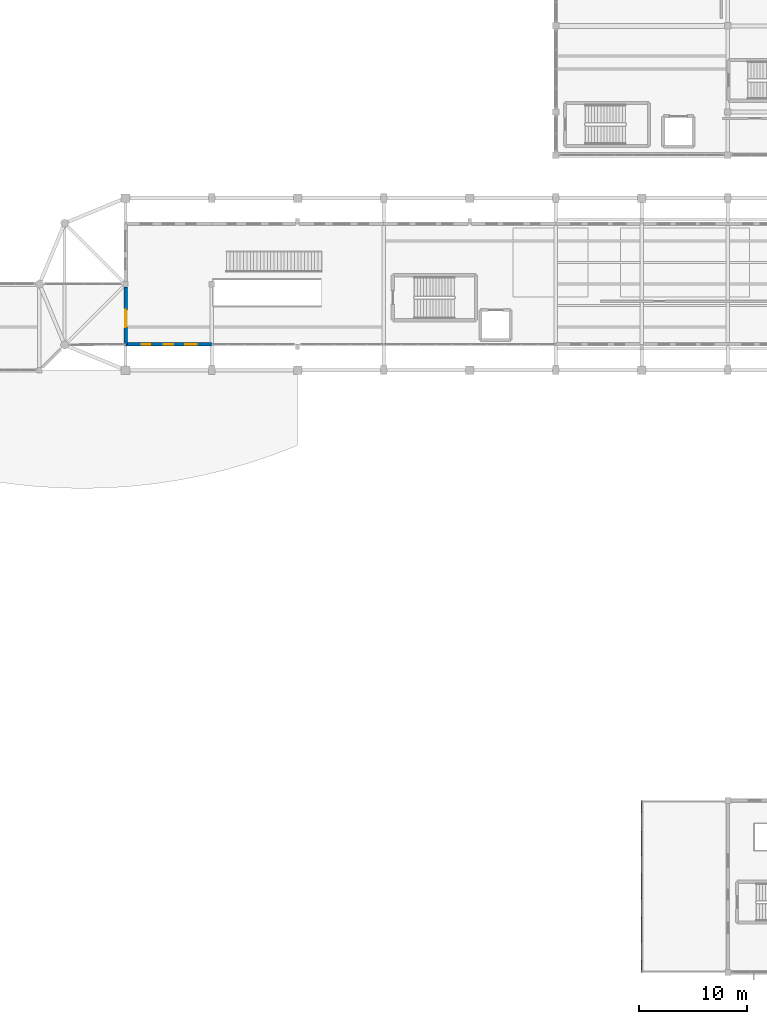
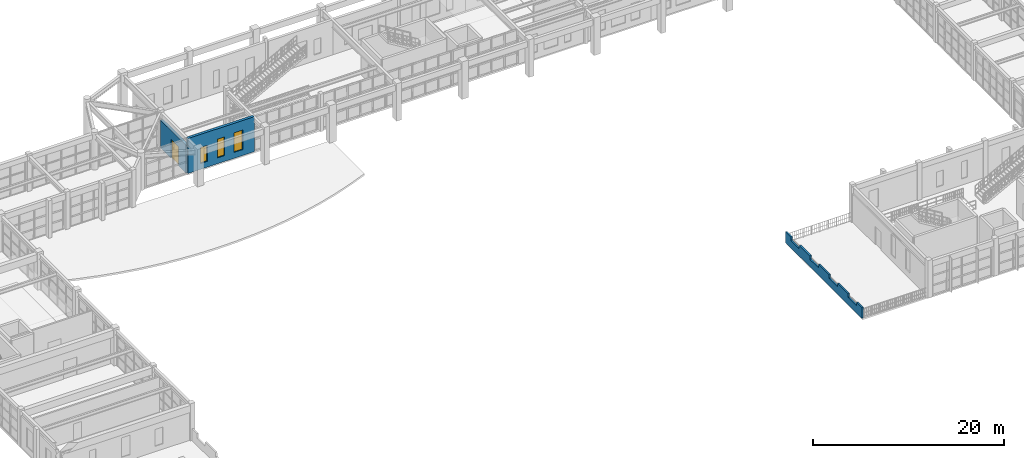
# One storey, part 39 of 59: 3 walls, 3 windows, 1 door, 4 openings.
"""IFC4 building model written with IfcOpenShell, lengths in metres."""

from ifc_helpers import new_model, si_unit, direction, frame, frame_2d, origin, place, context, subcontext, project, spatial, polyline, rectangle, outline, extrude, material, layer, layer_set, type_object, element, fill, save


model = new_model("IFC4")

# Units and contexts
model_context = context("Model", 3, precision=1e-05, world=origin(), true_north=direction((0.0, 1.0)))
body_context = subcontext(model_context, "Body", "Model", "MODEL_VIEW")
ifc_project = project(units=[si_unit("LENGTHUNIT", "METRE"), si_unit("AREAUNIT", "SQUARE_METRE"), si_unit("VOLUMEUNIT", "CUBIC_METRE"), si_unit("PLANEANGLEUNIT", "RADIAN"), si_unit("MASSUNIT", "GRAM", prefix="KILO")], contexts=[model_context])

# Site, building, storey
site_placement = place(None, origin())
site = spatial("IfcSite", under=ifc_project, at=site_placement, CompositionType="ELEMENT")
building_placement = place(site_placement, origin())
building = spatial("IfcBuilding", under=site, at=building_placement, Name="Serraluz Foothill Cableway Terminal", CompositionType="ELEMENT")
storey_placement = place(building_placement, frame((0.0, 0.0, 4.800048828125)))
storey = spatial("IfcBuildingStorey", under=building, at=storey_placement, Name="L01", CompositionType="ELEMENT", Elevation=4.800048828125)

# Wall, openings, windows
ifc_material_1 = material(Name="Dark clinker clay masonry brick (f'm 14 MPa)", Category="masonry")
ifc_layer_1 = layer(ifc_material_1, 0.320068359375, Name="Dark clinker clay masonry brick (f'm 14 MPa)", Category="masonry")
ifc_layer_set_1 = layer_set([ifc_layer_1], Name="Dark clinker clay masonry brick (f'm 14 MPa)")
wall_type_1 = type_object("IfcWallType", Name="TYP-WL-EXT-320", PredefinedType="STANDARD", material=ifc_layer_set_1)
wall_1_placement = place(storey_placement, frame((48.0, 58.39990234375, 0.0), z_axis=(0.0, 0.0, 1.0), x_axis=(-1.0, 0.0, 0.0)))
wall_1 = element("IfcWall", 1, at=wall_1_placement, inside=storey, type_object=wall_type_1, Name="Exterior Masonry Wall EW-V1S-L01-40", PredefinedType="STANDARD", context=body_context, shape_type="SweptSolid", body=[
    extrude(rectangle(XDim=8.0, YDim=0.320068359375, at=frame_2d((4.0, 0.0))), origin(), (0.0, 0.0, 1.0), 4.474853515625),
])
opening_1_placement = place(wall_1_placement, frame((1.39501953125, 0.0, 0.75)))
opening_1 = element("IfcOpeningElement", 2, at=opening_1_placement, cuts=wall_1, Name="Opening W-38", PredefinedType="OPENING", context=body_context, shape_type="SweptSolid", body=[
    extrude(rectangle(XDim=1.050048828125, YDim=2.5, at=frame_2d((0.52490234375, 1.25))), frame((0.0, 0.169921875, 0.0), z_axis=(0.0, -1.0, 0.0), x_axis=(1.0, 0.0, 0.0)), (0.0, 0.0, 1.0), 0.340087890625),
])
opening_2_placement = place(wall_1_placement, frame((3.574951171875, 0.0, 0.75)))
opening_2 = element("IfcOpeningElement", 3, at=opening_2_placement, cuts=wall_1, Name="Opening W-02", PredefinedType="OPENING", context=body_context, shape_type="SweptSolid", body=[
    extrude(rectangle(XDim=0.85009765625, YDim=2.39990234375, at=frame_2d((0.425048828125, 1.199951171875))), frame((0.0, 0.169921875, 0.0), z_axis=(0.0, -1.0, 0.0), x_axis=(1.0, 0.0, 0.0)), (0.0, 0.0, 1.0), 0.340087890625),
])
opening_3_placement = place(wall_1_placement, frame((5.679931640625, 0.0, 0.75)))
opening_3 = element("IfcOpeningElement", 4, at=opening_3_placement, cuts=wall_1, Name="Opening W-36", PredefinedType="OPENING", context=body_context, shape_type="SweptSolid", body=[
    extrude(rectangle(XDim=0.800048828125, YDim=2.050048828125, at=frame_2d((0.39990234375, 1.02490234375))), frame((0.0, 0.169921875, 0.0), z_axis=(0.0, -1.0, 0.0), x_axis=(1.0, 0.0, 0.0)), (0.0, 0.0, 1.0), 0.340087890625),
])
ifc_material_2 = material(Name="Laminated low-E safety glass", Category="glass")
window_type_1 = type_object("IfcWindowType", Name="TYP-WN-080X205", PartitioningType="SINGLE_PANEL", PredefinedType="WINDOW", material=ifc_material_2)
window_1_placement = place(opening_3_placement, origin())
window_1 = element("IfcWindow", 5, at=window_1_placement, inside=storey, type_object=window_type_1, Name="Exterior Window EW-V1S-L01-40-WN3", OverallHeight=2.050048828125, OverallWidth=0.800048828125, PartitioningType="SINGLE_PANEL", PredefinedType="WINDOW", context=body_context, shape_type="SweptSolid", body=[
    extrude(rectangle(XDim=0.800048828125, YDim=2.050048828125, at=frame_2d((0.39990234375, 1.02490234375))), frame((0.0, 0.030029296875, 0.0), z_axis=(0.0, -1.0, 0.0), x_axis=(1.0, 0.0, 0.0)), (0.0, 0.0, 1.0), 0.06005859375),
])
fill(opening_3, window_1)
window_type_2 = type_object("IfcWindowType", Name="TYP-WN-085X240", PartitioningType="SINGLE_PANEL", PredefinedType="WINDOW", material=ifc_material_2)
window_2_placement = place(opening_2_placement, origin())
window_2 = element("IfcWindow", 6, at=window_2_placement, inside=storey, type_object=window_type_2, Name="Exterior Window EW-V1S-L01-40-WN2", OverallHeight=2.39990234375, OverallWidth=0.85009765625, PartitioningType="SINGLE_PANEL", PredefinedType="WINDOW", context=body_context, shape_type="SweptSolid", body=[
    extrude(rectangle(XDim=0.85009765625, YDim=2.39990234375, at=frame_2d((0.425048828125, 1.199951171875))), frame((0.0, 0.030029296875, 0.0), z_axis=(0.0, -1.0, 0.0), x_axis=(1.0, 0.0, 0.0)), (0.0, 0.0, 1.0), 0.06005859375),
])
fill(opening_2, window_2)
window_type_3 = type_object("IfcWindowType", Name="TYP-WN-105X250", PartitioningType="SINGLE_PANEL", PredefinedType="WINDOW", material=ifc_material_2)
window_3_placement = place(opening_1_placement, origin())
window_3 = element("IfcWindow", 7, at=window_3_placement, inside=storey, type_object=window_type_3, Name="Exterior Window EW-V1S-L01-40-WN1", OverallHeight=2.5, OverallWidth=1.050048828125, PartitioningType="SINGLE_PANEL", PredefinedType="WINDOW", context=body_context, shape_type="SweptSolid", body=[
    extrude(rectangle(XDim=1.050048828125, YDim=2.5, at=frame_2d((0.52490234375, 1.25))), frame((0.0, 0.030029296875, 0.0), z_axis=(0.0, -1.0, 0.0), x_axis=(1.0, 0.0, 0.0)), (0.0, 0.0, 1.0), 0.06005859375),
])
fill(opening_1, window_3)

# Wall, opening, door
wall_2_placement = place(storey_placement, frame((40.0, 58.39990234375, 0.0), z_axis=(0.0, 0.0, 1.0), x_axis=(0.0, 1.0, 0.0)))
wall_2 = element("IfcWall", 8, at=wall_2_placement, inside=storey, type_object=wall_type_1, Name="Exterior Masonry Wall EW-V1W-L01-S", PredefinedType="STANDARD", context=body_context, shape_type="SweptSolid", body=[
    extrude(rectangle(XDim=5.35009765625, YDim=0.320068359375, at=frame_2d((2.675048828125, 0.0))), origin(), (0.0, 0.0, 1.0), 3.5478515625),
])
opening_4_placement = place(wall_2_placement, frame((1.60009765625, 0.0, 0.0)))
opening_4 = element("IfcOpeningElement", 9, at=opening_4_placement, cuts=wall_2, Name="Opening DT-03", PredefinedType="OPENING", context=body_context, shape_type="SweptSolid", body=[
    extrude(rectangle(XDim=1.60009765625, YDim=2.39990234375, at=frame_2d((0.800048828125, 1.199951171875))), frame((0.0, 0.169921875, 0.0), z_axis=(0.0, -1.0, 0.0), x_axis=(1.0, 0.0, 0.0)), (0.0, 0.0, 1.0), 0.340087890625),
])
ifc_material_3 = material(Name="Architectural bronze alloy C28000", Category="aluminium")
door_type = type_object("IfcDoorType", Name="TYP-DR-TER-1600", OperationType="DOUBLE_DOOR_SINGLE_SWING", PredefinedType="DOOR", material=ifc_material_3)
door_placement = place(opening_4_placement, origin())
door = element("IfcDoor", 10, at=door_placement, inside=storey, type_object=door_type, Name="West Bridge V1 Door L01", OperationType="DOUBLE_DOOR_SINGLE_SWING", OverallHeight=2.39990234375, OverallWidth=1.60009765625, PredefinedType="DOOR", context=body_context, shape_type="SweptSolid", body=[
    extrude(rectangle(XDim=1.60009765625, YDim=2.39990234375, at=frame_2d((0.800048828125, 1.199951171875))), frame((0.0, 0.02490234375, 0.0), z_axis=(0.0, -1.0, 0.0), x_axis=(1.0, 0.0, 0.0)), (0.0, 0.0, 1.0), 0.050048828125),
])
fill(opening_4, door)

# Wall
ifc_material_4 = material(Name="Fired clay masonry brick (f'm 12 MPa)", Category="masonry")
ifc_layer_2 = layer(ifc_material_4, 0.18994140625, Name="Fired clay masonry brick (f'm 12 MPa)", Category="masonry")
ifc_layer_set_2 = layer_set([ifc_layer_2], Name="Fired clay masonry brick (f'm 12 MPa)")
wall_type_2 = type_object("IfcWallType", Name="TYP-WL-PAR-190", PredefinedType="PARAPET", material=ifc_layer_set_2)
wall_3_placement = place(storey_placement, frame((88.0, 0.0, 0.0), z_axis=(0.0, 0.0, 1.0), x_axis=(0.0, 1.0, 0.0)))
element("IfcWall", 11, at=wall_3_placement, inside=storey, type_object=wall_type_2, Name="Stepped Brick Parapet Wall WP-V3W-1", PredefinedType="PARAPET", context=body_context, shape_type="SweptSolid", body=[
    extrude(outline(polyline([(0.0, 0.0), (16.0, 0.0), (16.0, 1.39990234375), (14.889892578125, 1.39990234375), (14.8798828125, 0.949951171875), (13.1298828125, 0.949951171875), (13.1201171875, 1.39990234375), (12.0, 1.39990234375), (11.989990234375, 1.39990234375), (10.889892578125, 1.39990234375), (10.8798828125, 0.949951171875), (9.1298828125, 0.949951171875), (9.1201171875, 1.39990234375), (8.0, 1.39990234375), (7.989990234375, 1.39990234375), (6.889892578125, 1.39990234375), (6.8798828125, 0.949951171875), (5.1298828125, 0.949951171875), (5.1201171875, 1.39990234375), (4.0, 1.39990234375), (3.989990234375, 1.39990234375), (2.889892578125, 1.39990234375), (2.8798828125, 0.949951171875), (1.1298828125, 0.949951171875), (1.1201171875, 1.39990234375), (0.0, 1.39990234375), (0.0, 0.0)])), frame((0.0, 0.094970703125, 0.0), z_axis=(0.0, -1.0, 0.0), x_axis=(1.0, 0.0, 0.0)), (0.0, 0.0, 1.0), 0.18994140625),
])

save(model, "model.ifc")
